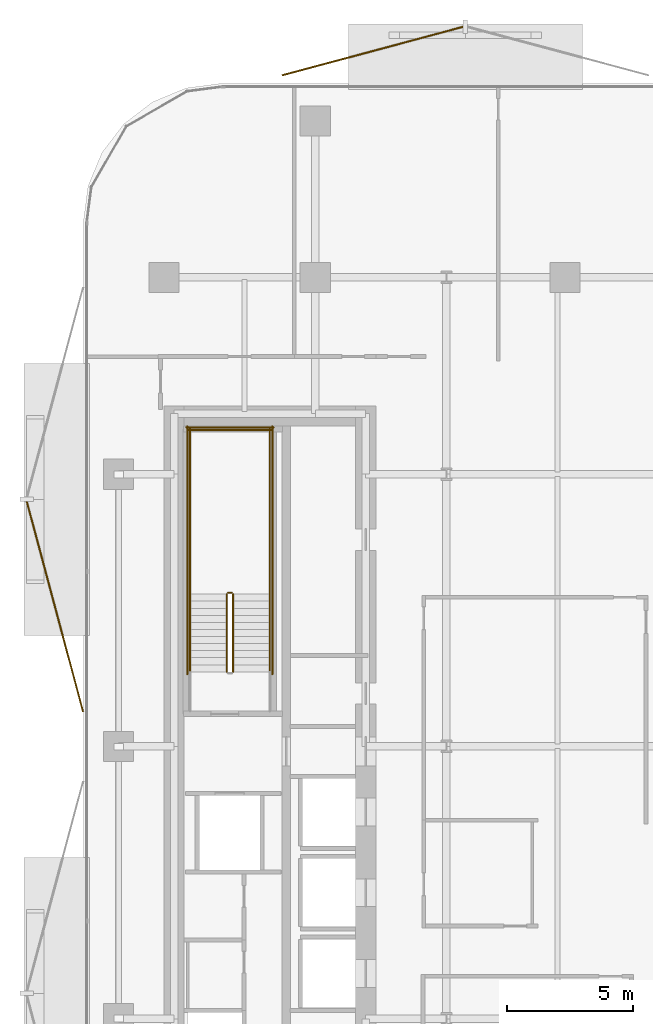
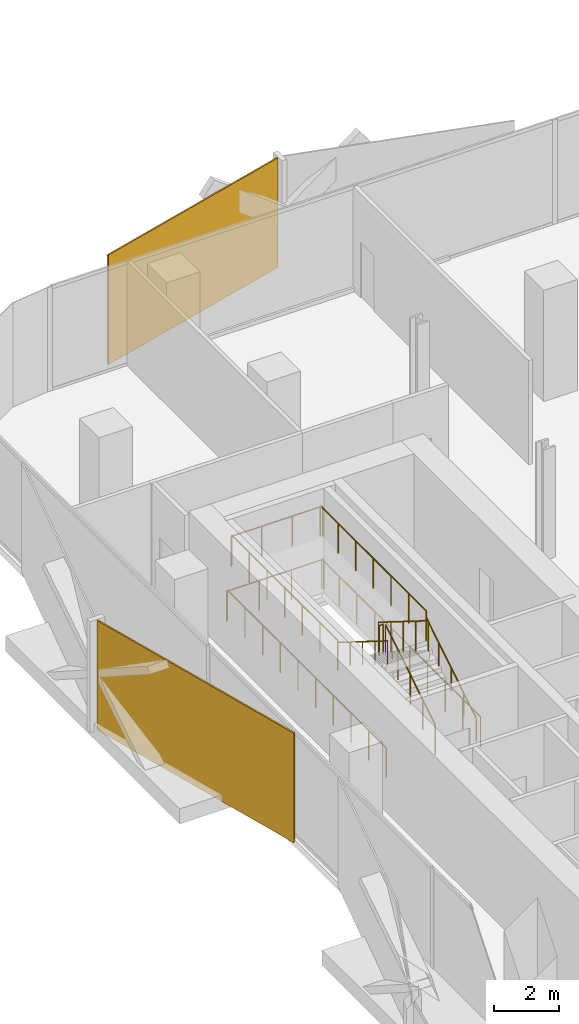
# One storey, part 14 of 15: 11 railings, 2 coverings.
"""IFC4 building model written with IfcOpenShell, lengths in metres."""

from ifc_helpers import new_model, si_unit, direction, frame, origin, origin_2d, place, context, subcontext, project, spatial, rectangle, circle, extrude, material, layer, layer_set, type_object, element, save


model = new_model("IFC4")

# Units and contexts
model_context = context("Model", 3, precision=1e-05, world=origin(), true_north=direction((0.0, 1.0)))
body_context = subcontext(model_context, "Body", "Model", "MODEL_VIEW")
ifc_project = project(units=[si_unit("LENGTHUNIT", "METRE"), si_unit("AREAUNIT", "SQUARE_METRE"), si_unit("VOLUMEUNIT", "CUBIC_METRE"), si_unit("PLANEANGLEUNIT", "RADIAN"), si_unit("MASSUNIT", "GRAM", prefix="KILO")], contexts=[model_context])

# Site, building, storey
site_placement = place(None, origin())
site = spatial("IfcSite", under=ifc_project, at=site_placement, CompositionType="ELEMENT")
building_placement = place(site_placement, origin())
building = spatial("IfcBuilding", under=site, at=building_placement, Name="Khairoan Windgate Tower", CompositionType="ELEMENT")
storey_placement = place(building_placement, frame((0.0, 0.0, 135.199951171875)))
storey = spatial("IfcBuildingStorey", under=building, at=storey_placement, Name="L31", CompositionType="ELEMENT", Elevation=135.199951171875)

# Coverings
ifc_material_1 = material(Name="Anodised Bronze Aluminium 6063-T6", Category="aluminium")
ifc_layer = layer(ifc_material_1, 0.054931640625, Name="Anodised Bronze Aluminium 6063-T6")
ifc_layer_set = layer_set([ifc_layer], Name="Anodised Bronze Aluminium 6063-T6")
covering_type = type_object("IfcCoveringType", Name="Perforated Bronze-Ceramic Folded Solar Screen Cladding BSC-1", PredefinedType="CLADDING", material=ifc_layer_set)
covering_1_placement = place(storey_placement, frame((-24.724609375, 5.542236328125, -0.10009765625), z_axis=(0.0, 0.0, 1.0), x_axis=(-0.258819045103, 0.965925826289, 0.0)))
element("IfcCovering", 1, at=covering_1_placement, inside=storey, type_object=covering_type, Name="L31 Folded Bronze Solar Screen Facet 196L", PredefinedType="CLADDING", context=body_context, shape_type="SweptSolid", body=[
    extrude(rectangle(XDim=8.6201171875, YDim=0.054931640625, at=origin_2d()), origin(), (0.0, 0.0, 1.0), 4.139892578125),
])
covering_2_placement = place(storey_placement, frame((-12.124755859375, 27.578125, -0.10009765625), z_axis=(0.0, 0.0, 1.0), x_axis=(0.965925826289, 0.258819045103, 0.0)))
element("IfcCovering", 2, at=covering_2_placement, inside=storey, type_object=covering_type, Name="L31 Folded Bronze Solar Screen Facet 197L", PredefinedType="CLADDING", context=body_context, shape_type="SweptSolid", body=[
    extrude(rectangle(XDim=7.431884765625, YDim=0.054931640625, at=origin_2d()), origin(), (0.0, 0.0, 1.0), 4.139892578125),
])

# Railings
ifc_material_2 = material(Name="Anodised Bronze Aluminium 6063-T6", Category="aluminium")
railing_type_1 = type_object("IfcRailingType", Name="Stair Wall Handrail SHR-900", PredefinedType="HANDRAIL", material=ifc_material_2)
railing_1_placement = place(storey_placement, frame((-16.199951171875, 2.9599609375, 0.175048828125)))
element("IfcRailing", 3, at=railing_1_placement, inside=storey, type_object=railing_type_1, Name="L31 ST2 stair handrail 1", PredefinedType="HANDRAIL", context=body_context, shape_type="SweptSolid", body=[
    extrude(circle(Radius=0.02392578125, at=origin_2d()), frame((0.0, 0.0, 0.8759765625), z_axis=(0.0, 0.847998304005, 0.529998940003), x_axis=(-1.0, 0.0, 0.0)), (0.0, 0.0, 1.0), 3.632080078125),
    extrude(circle(Radius=0.02099609375, at=origin_2d()), origin(), (0.0, 0.0, 1.0), 0.851806640625),
    extrude(circle(Radius=0.02099609375, at=origin_2d()), frame((0.0, 0.77001953125, 0.481201171875)), (0.0, 0.0, 1.0), 0.851806640625),
    extrude(circle(Radius=0.02099609375, at=origin_2d()), frame((0.0, 1.5400390625, 0.96240234375)), (0.0, 0.0, 1.0), 0.851806640625),
    extrude(circle(Radius=0.02099609375, at=origin_2d()), frame((0.0, 2.31005859375, 1.44384765625)), (0.0, 0.0, 1.0), 0.851806640625),
    extrude(circle(Radius=0.02099609375, at=origin_2d()), frame((0.0, 3.080078125, 1.925048828125)), (0.0, 0.0, 1.0), 0.851806640625),
])
railing_2_placement = place(storey_placement, frame((-19.3701171875, 6.0400390625, 2.275146484375)))
element("IfcRailing", 4, at=railing_2_placement, inside=storey, type_object=railing_type_1, Name="L31 ST2 stair handrail 2", PredefinedType="HANDRAIL", context=body_context, shape_type="SweptSolid", body=[
    extrude(circle(Radius=0.02392578125, at=origin_2d()), frame((0.0, 0.0, 0.8759765625), z_axis=(0.0, -0.848028513186, 0.529950602248), x_axis=(1.0, 0.0, 0.0)), (0.0, 0.0, 1.0), 3.632080078125),
    extrude(circle(Radius=0.02099609375, at=origin_2d()), origin(), (0.0, 0.0, 1.0), 0.851806640625),
    extrude(circle(Radius=0.02099609375, at=origin_2d()), frame((0.0, -0.77001953125, 0.481201171875)), (0.0, 0.0, 1.0), 0.851806640625),
    extrude(circle(Radius=0.02099609375, at=origin_2d()), frame((0.0, -1.5400390625, 0.96240234375)), (0.0, 0.0, 1.0), 0.851806640625),
    extrude(circle(Radius=0.02099609375, at=origin_2d()), frame((0.0, -2.31005859375, 1.443603515625)), (0.0, 0.0, 1.0), 0.851806640625),
    extrude(circle(Radius=0.02099609375, at=origin_2d()), frame((0.0, -3.080078125, 1.9248046875)), (0.0, 0.0, 1.0), 0.851806640625),
])
ifc_material_3 = material(Name="Steel S355", Category="steel")
railing_type_2 = type_object("IfcRailingType", Name="Stairwell Safety Guardrail SGR-1150", PredefinedType="GUARDRAIL", material=ifc_material_3)
railing_3_placement = place(storey_placement, frame((-17.659912109375, 2.9599609375, 0.175048828125)))
element("IfcRailing", 5, at=railing_3_placement, inside=storey, type_object=railing_type_2, Name="L31 ST2 stair guard 1", PredefinedType="GUARDRAIL", context=body_context, shape_type="SweptSolid", body=[
    extrude(circle(Radius=0.02392578125, at=origin_2d()), frame((0.0, 0.0, 1.1259765625), z_axis=(0.0, 0.847998304005, 0.529998940003), x_axis=(-1.0, 0.0, 0.0)), (0.0, 0.0, 1.0), 3.632080078125),
    extrude(circle(Radius=0.02099609375, at=origin_2d()), origin(), (0.0, 0.0, 1.0), 1.101806640625),
    extrude(circle(Radius=0.02099609375, at=origin_2d()), frame((0.0, 0.77001953125, 0.481201171875)), (0.0, 0.0, 1.0), 1.101806640625),
    extrude(circle(Radius=0.02099609375, at=origin_2d()), frame((0.0, 1.5400390625, 0.96240234375)), (0.0, 0.0, 1.0), 1.101806640625),
    extrude(circle(Radius=0.02099609375, at=origin_2d()), frame((0.0, 2.31005859375, 1.44384765625)), (0.0, 0.0, 1.0), 1.101806640625),
    extrude(circle(Radius=0.02099609375, at=origin_2d()), frame((0.0, 3.080078125, 1.925048828125)), (0.0, 0.0, 1.0), 1.101806640625),
])
railing_4_placement = place(storey_placement, frame((-17.7099609375, 6.090087890625, 2.10009765625)))
element("IfcRailing", 6, at=railing_4_placement, inside=storey, type_object=railing_type_2, Name="L31 ST2 stair guard 2", PredefinedType="GUARDRAIL", context=body_context, shape_type="SweptSolid", body=[
    extrude(circle(Radius=0.02392578125, at=origin_2d()), frame((0.0, 0.0, 1.1259765625), z_axis=(-1.0, 0.0, 0.0), x_axis=(0.0, -1.0, 0.0)), (0.0, 0.0, 1.0), 0.150146484375),
    extrude(circle(Radius=0.02099609375, at=origin_2d()), origin(), (0.0, 0.0, 1.0), 1.101806640625),
    extrude(circle(Radius=0.02099609375, at=origin_2d()), frame((-0.150146484375, 0.0, 0.0)), (0.0, 0.0, 1.0), 1.101806640625),
])
for number, where, name in (
    (7, (-16.199951171875, 6.0400390625, 2.10009765625), "L31 ST2 stair guard 3"),
    (8, (-19.3701171875, 6.0400390625, 2.10009765625), "L31 ST2 stair guard 4"),
):
    element("IfcRailing", number, at=place(storey_placement, frame(where)), inside=storey, type_object=railing_type_2, Name=name, PredefinedType="GUARDRAIL", context=body_context, shape_type="SweptSolid", body=[
        extrude(circle(Radius=0.02392578125, at=origin_2d()), frame((0.0, 0.0, 1.1259765625), z_axis=(0.0, 1.0, 0.0), x_axis=(-1.0, 0.0, 0.0)), (0.0, 0.0, 1.0), 6.56005859375),
        extrude(circle(Radius=0.02099609375, at=origin_2d()), origin(), (0.0, 0.0, 1.0), 1.101806640625),
        extrude(circle(Radius=0.02099609375, at=origin_2d()), frame((0.0, 1.09326171875, 0.0)), (0.0, 0.0, 1.0), 1.101806640625),
        extrude(circle(Radius=0.02099609375, at=origin_2d()), frame((0.0, 2.186767578125, 0.0)), (0.0, 0.0, 1.0), 1.101806640625),
        extrude(circle(Radius=0.02099609375, at=origin_2d()), frame((0.0, 3.280029296875, 0.0)), (0.0, 0.0, 1.0), 1.101806640625),
        extrude(circle(Radius=0.02099609375, at=origin_2d()), frame((0.0, 4.373291015625, 0.0)), (0.0, 0.0, 1.0), 1.101806640625),
        extrude(circle(Radius=0.02099609375, at=origin_2d()), frame((0.0, 5.466796875, 0.0)), (0.0, 0.0, 1.0), 1.101806640625),
        extrude(circle(Radius=0.02099609375, at=origin_2d()), frame((0.0, 6.56005859375, 0.0)), (0.0, 0.0, 1.0), 1.101806640625),
    ])
railing_5_placement = place(storey_placement, frame((-16.14990234375, 12.550048828125, 2.10009765625)))
element("IfcRailing", 9, at=railing_5_placement, inside=storey, type_object=railing_type_2, Name="L31 ST2 stair guard 5", PredefinedType="GUARDRAIL", context=body_context, shape_type="SweptSolid", body=[
    extrude(circle(Radius=0.02392578125, at=origin_2d()), frame((0.0, 0.0, 1.1259765625), z_axis=(-1.0, 0.0, 0.0), x_axis=(0.0, -1.0, 0.0)), (0.0, 0.0, 1.0), 3.27001953125),
    extrude(circle(Radius=0.02099609375, at=origin_2d()), origin(), (0.0, 0.0, 1.0), 1.101806640625),
    extrude(circle(Radius=0.02099609375, at=origin_2d()), frame((-1.090087890625, 0.0, 0.0)), (0.0, 0.0, 1.0), 1.101806640625),
    extrude(circle(Radius=0.02099609375, at=origin_2d()), frame((-2.179931640625, 0.0, 0.0)), (0.0, 0.0, 1.0), 1.101806640625),
    extrude(circle(Radius=0.02099609375, at=origin_2d()), frame((-3.27001953125, 0.0, 0.0)), (0.0, 0.0, 1.0), 1.101806640625),
])
railing_6_placement = place(storey_placement, frame((-17.909912109375, 6.0400390625, 2.275146484375)))
element("IfcRailing", 10, at=railing_6_placement, inside=storey, type_object=railing_type_2, Name="L31 ST2 stair guard 6", PredefinedType="GUARDRAIL", context=body_context, shape_type="SweptSolid", body=[
    extrude(circle(Radius=0.02392578125, at=origin_2d()), frame((0.0, 0.0, 1.1259765625), z_axis=(0.0, -0.848028513186, 0.529950602248), x_axis=(1.0, 0.0, 0.0)), (0.0, 0.0, 1.0), 3.632080078125),
    extrude(circle(Radius=0.02099609375, at=origin_2d()), origin(), (0.0, 0.0, 1.0), 1.101806640625),
    extrude(circle(Radius=0.02099609375, at=origin_2d()), frame((0.0, -0.77001953125, 0.481201171875)), (0.0, 0.0, 1.0), 1.101806640625),
    extrude(circle(Radius=0.02099609375, at=origin_2d()), frame((0.0, -1.5400390625, 0.96240234375)), (0.0, 0.0, 1.0), 1.101806640625),
    extrude(circle(Radius=0.02099609375, at=origin_2d()), frame((0.0, -2.31005859375, 1.443603515625)), (0.0, 0.0, 1.0), 1.101806640625),
    extrude(circle(Radius=0.02099609375, at=origin_2d()), frame((0.0, -3.080078125, 1.9248046875)), (0.0, 0.0, 1.0), 1.101806640625),
])
for number, where, name in (
    (11, (-16.10009765625, 2.860107421875, 0.0), "L31 ST2 stair guard 10"),
    (12, (-19.469970703125, 2.860107421875, 0.0), "L31 ST2 stair guard 11"),
):
    element("IfcRailing", number, at=place(storey_placement, frame(where)), inside=storey, type_object=railing_type_2, Name=name, PredefinedType="GUARDRAIL", context=body_context, shape_type="SweptSolid", body=[
        extrude(circle(Radius=0.02392578125, at=origin_2d()), frame((0.0, 0.0, 1.1259765625), z_axis=(0.0, 1.0, 0.0), x_axis=(-1.0, 0.0, 0.0)), (0.0, 0.0, 1.0), 9.83984375),
        extrude(circle(Radius=0.02099609375, at=origin_2d()), origin(), (0.0, 0.0, 1.0), 1.101806640625),
        extrude(circle(Radius=0.02099609375, at=origin_2d()), frame((0.0, 1.09326171875, 0.0)), (0.0, 0.0, 1.0), 1.101806640625),
        extrude(circle(Radius=0.02099609375, at=origin_2d()), frame((0.0, 2.1865234375, 0.0)), (0.0, 0.0, 1.0), 1.101806640625),
        extrude(circle(Radius=0.02099609375, at=origin_2d()), frame((0.0, 3.280029296875, 0.0)), (0.0, 0.0, 1.0), 1.101806640625),
        extrude(circle(Radius=0.02099609375, at=origin_2d()), frame((0.0, 4.373291015625, 0.0)), (0.0, 0.0, 1.0), 1.101806640625),
        extrude(circle(Radius=0.02099609375, at=origin_2d()), frame((0.0, 5.466552734375, 0.0)), (0.0, 0.0, 1.0), 1.101806640625),
        extrude(circle(Radius=0.02099609375, at=origin_2d()), frame((0.0, 6.559814453125, 0.0)), (0.0, 0.0, 1.0), 1.101806640625),
        extrude(circle(Radius=0.02099609375, at=origin_2d()), frame((0.0, 7.6533203125, 0.0)), (0.0, 0.0, 1.0), 1.101806640625),
        extrude(circle(Radius=0.02099609375, at=origin_2d()), frame((0.0, 8.74658203125, 0.0)), (0.0, 0.0, 1.0), 1.101806640625),
        extrude(circle(Radius=0.02099609375, at=origin_2d()), frame((0.0, 9.83984375, 0.0)), (0.0, 0.0, 1.0), 1.101806640625),
    ])
railing_7_placement = place(storey_placement, frame((-16.050048828125, 12.64990234375, 0.0)))
element("IfcRailing", 13, at=railing_7_placement, inside=storey, type_object=railing_type_2, Name="L31 ST2 stair guard 12", PredefinedType="GUARDRAIL", context=body_context, shape_type="SweptSolid", body=[
    extrude(circle(Radius=0.02392578125, at=origin_2d()), frame((0.0, 0.0, 1.1259765625), z_axis=(-1.0, 0.0, 0.0), x_axis=(0.0, -1.0, 0.0)), (0.0, 0.0, 1.0), 3.469970703125),
    extrude(circle(Radius=0.02099609375, at=origin_2d()), origin(), (0.0, 0.0, 1.0), 1.101806640625),
    extrude(circle(Radius=0.02099609375, at=origin_2d()), frame((-1.15673828125, 0.0, 0.0)), (0.0, 0.0, 1.0), 1.101806640625),
    extrude(circle(Radius=0.02099609375, at=origin_2d()), frame((-2.313232421875, 0.0, 0.0)), (0.0, 0.0, 1.0), 1.101806640625),
    extrude(circle(Radius=0.02099609375, at=origin_2d()), frame((-3.469970703125, 0.0, 0.0)), (0.0, 0.0, 1.0), 1.101806640625),
])

save(model, "model.ifc")
